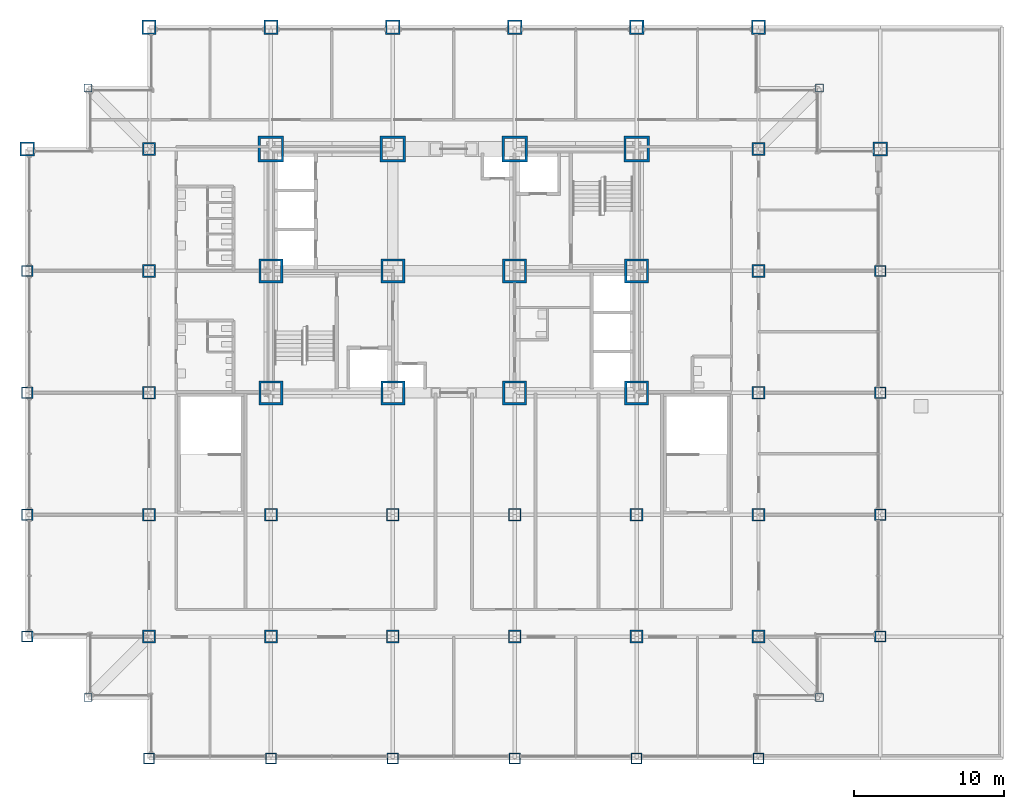
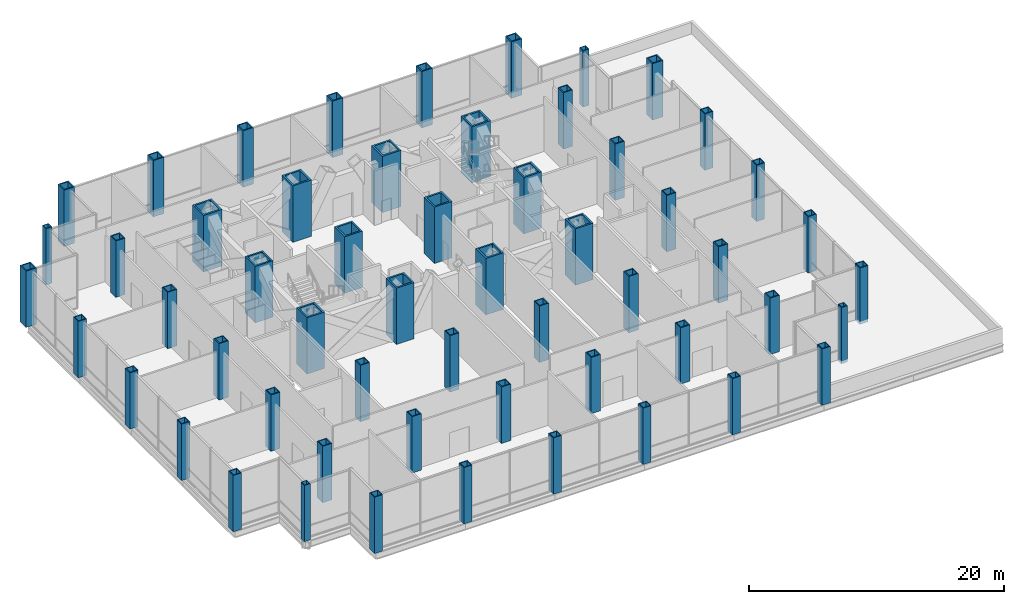
# One storey, part 1 of 18: 56 columns.
"""IFC4 building model written with IfcOpenShell, lengths in metres."""

from ifc_helpers import new_model, si_unit, direction, frame, origin, origin_2d, place, context, subcontext, project, spatial, hollow_rectangle, extrude, material, material_profile, profile_set, type_object, element, save


model = new_model("IFC4")

# Units and contexts
model_context = context("Model", 3, precision=1e-05, world=origin(), true_north=direction((0.0, 1.0)))
body_context = subcontext(model_context, "Body", "Model", "MODEL_VIEW")
ifc_project = project(units=[si_unit("LENGTHUNIT", "METRE"), si_unit("AREAUNIT", "SQUARE_METRE"), si_unit("VOLUMEUNIT", "CUBIC_METRE"), si_unit("PLANEANGLEUNIT", "RADIAN"), si_unit("MASSUNIT", "GRAM", prefix="KILO")], contexts=[model_context])

# Site, building, storey
site_placement = place(None, origin())
site = spatial("IfcSite", under=ifc_project, at=site_placement, CompositionType="ELEMENT")
building_placement = place(site_placement, origin())
building = spatial("IfcBuilding", under=site, at=building_placement, Name="Kopane Lantern Tower", CompositionType="ELEMENT")
storey_placement = place(building_placement, frame((0.0, 0.0, 22.199951171875)))
storey = spatial("IfcBuildingStorey", under=building, at=storey_placement, Name="L04", CompositionType="ELEMENT", Elevation=22.199951171875)

# Columns
ifc_material_1 = material(Name="Steel S355JR", Category="steel")
ifc_material_profile_1 = material_profile(ifc_material_1, hollow_rectangle(XDim=1.60009765625, YDim=1.60009765625, WallThickness=0.14990234375, at=origin_2d()), Name="BOX 1600x1600x150")
ifc_profile_set_1 = profile_set([ifc_material_profile_1], Name="Steel S355JR")
column_type_1 = type_object("IfcColumnType", Name="COLUMN BOX 1600x1600x150", PredefinedType="COLUMN", material=ifc_profile_set_1)
for number, where, z_axis, x_axis, name in (
    (1, (16.199951171875, 24.300048828125, 0.0), (0.0, 0.0, 1.0), (1.0, 0.0, 0.0), "Column 4/E L04"),
    (2, (16.199951171875, 32.39990234375, 0.0), (0.0, 0.0, 1.0), (1.0, 0.0, 0.0), "Column 4/F L04"),
    (3, (24.300048828125, 24.300048828125, 0.0), (0.0, 0.0, 1.0), (1.0, 0.0, 0.0), "Column 5/E L04"),
    (4, (24.300048828125, 32.39990234375, 0.0), (0.0, 0.0, 1.0), (1.0, 0.0, 0.0), "Column 5/F L04"),
    (5, (32.39990234375, 24.300048828125, 0.0), (0.0, 0.0, 1.0), (1.0, 0.0, 0.0), "Column 6/E L04"),
    (6, (32.39990234375, 32.39990234375, 0.0), (0.0, 0.0, 1.0), (1.0, 0.0, 0.0), "Column 6/F L04"),
    (7, (40.5, 24.300048828125, 0.0), (0.0, 0.0, 1.0), (1.0, 0.0, 0.0), "Column 7/E L04"),
    (8, (40.5, 32.39990234375, 0.0), (0.0, 0.0, 1.0), (1.0, 0.0, 0.0), "Column 7/F L04"),
):
    element("IfcColumn", number, at=place(storey_placement, frame(where, z_axis=z_axis, x_axis=x_axis)), inside=storey, type_object=column_type_1, Name=name, PredefinedType="COLUMN", context=body_context, shape_type="SweptSolid", body=[
        extrude(hollow_rectangle(XDim=1.60009765625, YDim=1.60009765625, WallThickness=0.14990234375, at=origin_2d()), origin(), (0.0, 0.0, 1.0), 5.400146484375),
    ])
ifc_material_2 = material(Name="Steel S355JR", Category="steel")
ifc_material_profile_2 = material_profile(ifc_material_2, hollow_rectangle(XDim=1.699951171875, YDim=1.699951171875, WallThickness=0.159912109375, at=origin_2d()), Name="BOX 1700x1700x160")
ifc_profile_set_2 = profile_set([ifc_material_profile_2], Name="Steel S355JR")
column_type_2 = type_object("IfcColumnType", Name="COLUMN BOX 1700x1700x160", PredefinedType="COLUMN", material=ifc_profile_set_2)
for number, where, z_axis, x_axis, name in (
    (9, (16.199951171875, 40.5, 0.0), (0.0, 0.0, 1.0), (1.0, 0.0, 0.0), "Column 4/G L04"),
    (10, (24.300048828125, 40.5, 0.0), (0.0, 0.0, 1.0), (1.0, 0.0, 0.0), "Column 5/G L04"),
    (11, (32.39990234375, 40.5, 0.0), (0.0, 0.0, 1.0), (1.0, 0.0, 0.0), "Column 6/G L04"),
    (12, (40.5, 40.5, 0.0), (0.0, 0.0, 1.0), (1.0, 0.0, 0.0), "Column 7/G L04"),
):
    element("IfcColumn", number, at=place(storey_placement, frame(where, z_axis=z_axis, x_axis=x_axis)), inside=storey, type_object=column_type_2, Name=name, PredefinedType="COLUMN", context=body_context, shape_type="SweptSolid", body=[
        extrude(hollow_rectangle(XDim=1.699951171875, YDim=1.699951171875, WallThickness=0.159912109375, at=origin_2d()), origin(), (0.0, 0.0, 1.0), 5.400146484375),
    ])
ifc_material_3 = material(Name="Steel S355JR", Category="steel")
ifc_material_profile_3 = material_profile(ifc_material_3, hollow_rectangle(XDim=0.550048828125, YDim=0.550048828125, WallThickness=0.050048828125, at=origin_2d()), Name="BOX 550x550x50")
ifc_profile_set_3 = profile_set([ifc_material_profile_3], Name="Steel S355JR")
column_type_3 = type_object("IfcColumnType", Name="COLUMN BOX 550x550x50", PredefinedType="COLUMN", material=ifc_profile_set_3)
for number, where, z_axis, x_axis, name in (
    (13, (4.050048828125, 4.050048828125, 0.0), (0.0, 0.0, 1.0), (1.0, 0.0, 0.0), "Column 4.05/4.05 L04"),
    (14, (4.050048828125, 44.550048828125, 0.0), (0.0, 0.0, 1.0), (1.0, 0.0, 0.0), "Column 4.05/44.55 L04"),
    (15, (52.64990234375, 4.050048828125, 0.0), (0.0, 0.0, 1.0), (1.0, 0.0, 0.0), "Column 52.65/4.05 L04"),
    (16, (52.64990234375, 44.550048828125, 0.0), (0.0, 0.0, 1.0), (1.0, 0.0, 0.0), "Column 52.65/44.55 L04"),
):
    element("IfcColumn", number, at=place(storey_placement, frame(where, z_axis=z_axis, x_axis=x_axis)), inside=storey, type_object=column_type_3, Name=name, PredefinedType="COLUMN", context=body_context, shape_type="SweptSolid", body=[
        extrude(hollow_rectangle(XDim=0.550048828125, YDim=0.550048828125, WallThickness=0.050048828125, at=origin_2d()), origin(), (0.0, 0.0, 1.0), 5.400146484375),
    ])
ifc_material_4 = material(Name="Steel S355JR", Category="steel")
ifc_material_profile_4 = material_profile(ifc_material_4, hollow_rectangle(XDim=0.75, YDim=0.75, WallThickness=0.070068359375, at=origin_2d()), Name="BOX 750x750x70")
ifc_profile_set_4 = profile_set([ifc_material_profile_4], Name="Steel S355JR")
column_type_4 = type_object("IfcColumnType", Name="COLUMN BOX 750x750x70", PredefinedType="COLUMN", material=ifc_profile_set_4)
for number, where, z_axis, x_axis, name in (
    (17, (0.0, 8.10009765625, 0.0), (0.0, 0.0, 1.0), (1.0, 0.0, 0.0), "Column 2/C L04"),
    (18, (0.0, 16.199951171875, 0.0), (0.0, 0.0, 1.0), (1.0, 0.0, 0.0), "Column 2/D L04"),
    (19, (0.0, 24.300048828125, 0.0), (0.0, 0.0, 1.0), (1.0, 0.0, 0.0), "Column 2/E L04"),
    (20, (0.0, 32.39990234375, 0.0), (0.0, 0.0, 1.0), (1.0, 0.0, 0.0), "Column 2/F L04"),
    (21, (8.10009765625, 0.0, 0.0), (0.0, 0.0, 1.0), (1.0, 0.0, 0.0), "Column 3/B L04"),
    (22, (16.199951171875, 0.0, 0.0), (0.0, 0.0, 1.0), (1.0, 0.0, 0.0), "Column 4/B L04"),
    (23, (24.300048828125, 0.0, 0.0), (0.0, 0.0, 1.0), (1.0, 0.0, 0.0), "Column 5/B L04"),
    (24, (32.39990234375, 0.0, 0.0), (0.0, 0.0, 1.0), (1.0, 0.0, 0.0), "Column 6/B L04"),
    (25, (40.5, 0.0, 0.0), (0.0, 0.0, 1.0), (1.0, 0.0, 0.0), "Column 7/B L04"),
    (26, (48.60009765625, 0.0, 0.0), (0.0, 0.0, 1.0), (1.0, 0.0, 0.0), "Column 8/B L04"),
    (27, (56.699951171875, 8.10009765625, 0.0), (0.0, 0.0, 1.0), (1.0, 0.0, 0.0), "Column 9/C L04"),
    (28, (56.699951171875, 16.199951171875, 0.0), (0.0, 0.0, 1.0), (1.0, 0.0, 0.0), "Column 9/D L04"),
    (29, (56.699951171875, 24.300048828125, 0.0), (0.0, 0.0, 1.0), (1.0, 0.0, 0.0), "Column 9/E L04"),
    (30, (56.699951171875, 32.39990234375, 0.0), (0.0, 0.0, 1.0), (1.0, 0.0, 0.0), "Column 9/F L04"),
):
    element("IfcColumn", number, at=place(storey_placement, frame(where, z_axis=z_axis, x_axis=x_axis)), inside=storey, type_object=column_type_4, Name=name, PredefinedType="COLUMN", context=body_context, shape_type="SweptSolid", body=[
        extrude(hollow_rectangle(XDim=0.75, YDim=0.75, WallThickness=0.070068359375, at=origin_2d()), origin(), (0.0, 0.0, 1.0), 5.400146484375),
    ])
ifc_material_5 = material(Name="Steel S355JR", Category="steel")
ifc_material_profile_5 = material_profile(ifc_material_5, hollow_rectangle(XDim=0.85009765625, YDim=0.85009765625, WallThickness=0.0849609375, at=origin_2d()), Name="BOX 850x850x85")
ifc_profile_set_5 = profile_set([ifc_material_profile_5], Name="Steel S355JR")
column_type_5 = type_object("IfcColumnType", Name="COLUMN BOX 850x850x85", PredefinedType="COLUMN", material=ifc_profile_set_5)
for number, where, z_axis, x_axis, name in (
    (31, (8.10009765625, 8.10009765625, 0.0), (0.0, 0.0, 1.0), (1.0, 0.0, 0.0), "Column 3/C L04"),
    (32, (8.10009765625, 16.199951171875, 0.0), (0.0, 0.0, 1.0), (1.0, 0.0, 0.0), "Column 3/D L04"),
    (33, (8.10009765625, 24.300048828125, 0.0), (0.0, 0.0, 1.0), (1.0, 0.0, 0.0), "Column 3/E L04"),
    (34, (8.10009765625, 32.39990234375, 0.0), (0.0, 0.0, 1.0), (1.0, 0.0, 0.0), "Column 3/F L04"),
    (35, (8.10009765625, 40.5, 0.0), (0.0, 0.0, 1.0), (1.0, 0.0, 0.0), "Column 3/G L04"),
    (36, (16.199951171875, 8.10009765625, 0.0), (0.0, 0.0, 1.0), (1.0, 0.0, 0.0), "Column 4/C L04"),
    (37, (16.199951171875, 16.199951171875, 0.0), (0.0, 0.0, 1.0), (1.0, 0.0, 0.0), "Column 4/D L04"),
    (38, (24.300048828125, 8.10009765625, 0.0), (0.0, 0.0, 1.0), (1.0, 0.0, 0.0), "Column 5/C L04"),
    (39, (24.300048828125, 16.199951171875, 0.0), (0.0, 0.0, 1.0), (1.0, 0.0, 0.0), "Column 5/D L04"),
    (40, (32.39990234375, 8.10009765625, 0.0), (0.0, 0.0, 1.0), (1.0, 0.0, 0.0), "Column 6/C L04"),
    (41, (32.39990234375, 16.199951171875, 0.0), (0.0, 0.0, 1.0), (1.0, 0.0, 0.0), "Column 6/D L04"),
    (42, (40.5, 8.10009765625, 0.0), (0.0, 0.0, 1.0), (1.0, 0.0, 0.0), "Column 7/C L04"),
    (43, (40.5, 16.199951171875, 0.0), (0.0, 0.0, 1.0), (1.0, 0.0, 0.0), "Column 7/D L04"),
    (44, (48.60009765625, 8.10009765625, 0.0), (0.0, 0.0, 1.0), (1.0, 0.0, 0.0), "Column 8/C L04"),
    (45, (48.60009765625, 16.199951171875, 0.0), (0.0, 0.0, 1.0), (1.0, 0.0, 0.0), "Column 8/D L04"),
    (46, (48.60009765625, 24.300048828125, 0.0), (0.0, 0.0, 1.0), (1.0, 0.0, 0.0), "Column 8/E L04"),
    (47, (48.60009765625, 32.39990234375, 0.0), (0.0, 0.0, 1.0), (1.0, 0.0, 0.0), "Column 8/F L04"),
    (48, (48.60009765625, 40.5, 0.0), (0.0, 0.0, 1.0), (1.0, 0.0, 0.0), "Column 8/G L04"),
):
    element("IfcColumn", number, at=place(storey_placement, frame(where, z_axis=z_axis, x_axis=x_axis)), inside=storey, type_object=column_type_5, Name=name, PredefinedType="COLUMN", context=body_context, shape_type="SweptSolid", body=[
        extrude(hollow_rectangle(XDim=0.85009765625, YDim=0.85009765625, WallThickness=0.0849609375, at=origin_2d()), origin(), (0.0, 0.0, 1.0), 5.400146484375),
    ])
ifc_material_6 = material(Name="Steel S355JR", Category="steel")
ifc_material_profile_6 = material_profile(ifc_material_6, hollow_rectangle(XDim=0.949951171875, YDim=0.949951171875, WallThickness=0.10009765625, at=origin_2d()), Name="BOX 950x950x100")
ifc_profile_set_6 = profile_set([ifc_material_profile_6], Name="Steel S355JR")
column_type_6 = type_object("IfcColumnType", Name="COLUMN BOX 950x950x100", PredefinedType="COLUMN", material=ifc_profile_set_6)
for number, where, z_axis, x_axis, name in (
    (49, (0.0, 40.5, 0.0), (0.0, 0.0, 1.0), (1.0, 0.0, 0.0), "Column 2/G L04"),
    (50, (8.10009765625, 48.60009765625, 0.0), (0.0, 0.0, 1.0), (1.0, 0.0, 0.0), "Column 3/H L04"),
    (51, (16.199951171875, 48.60009765625, 0.0), (0.0, 0.0, 1.0), (1.0, 0.0, 0.0), "Column 4/H L04"),
    (52, (24.300048828125, 48.60009765625, 0.0), (0.0, 0.0, 1.0), (1.0, 0.0, 0.0), "Column 5/H L04"),
    (53, (32.39990234375, 48.60009765625, 0.0), (0.0, 0.0, 1.0), (1.0, 0.0, 0.0), "Column 6/H L04"),
    (54, (40.5, 48.60009765625, 0.0), (0.0, 0.0, 1.0), (1.0, 0.0, 0.0), "Column 7/H L04"),
    (55, (48.60009765625, 48.60009765625, 0.0), (0.0, 0.0, 1.0), (1.0, 0.0, 0.0), "Column 8/H L04"),
    (56, (56.699951171875, 40.5, 0.0), (0.0, 0.0, 1.0), (1.0, 0.0, 0.0), "Column 9/G L04"),
):
    element("IfcColumn", number, at=place(storey_placement, frame(where, z_axis=z_axis, x_axis=x_axis)), inside=storey, type_object=column_type_6, Name=name, PredefinedType="COLUMN", context=body_context, shape_type="SweptSolid", body=[
        extrude(hollow_rectangle(XDim=0.949951171875, YDim=0.949951171875, WallThickness=0.10009765625, at=origin_2d()), origin(), (0.0, 0.0, 1.0), 5.400146484375),
    ])

save(model, "model.ifc")
